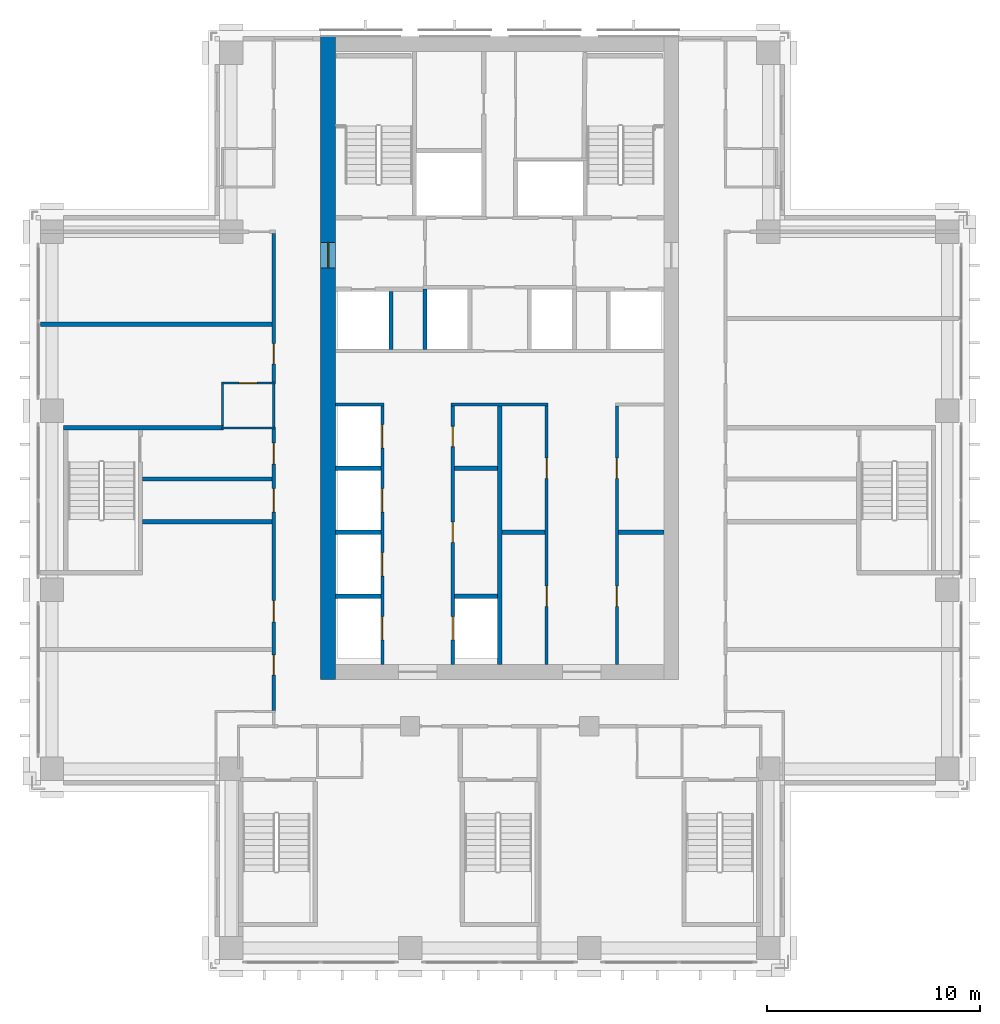
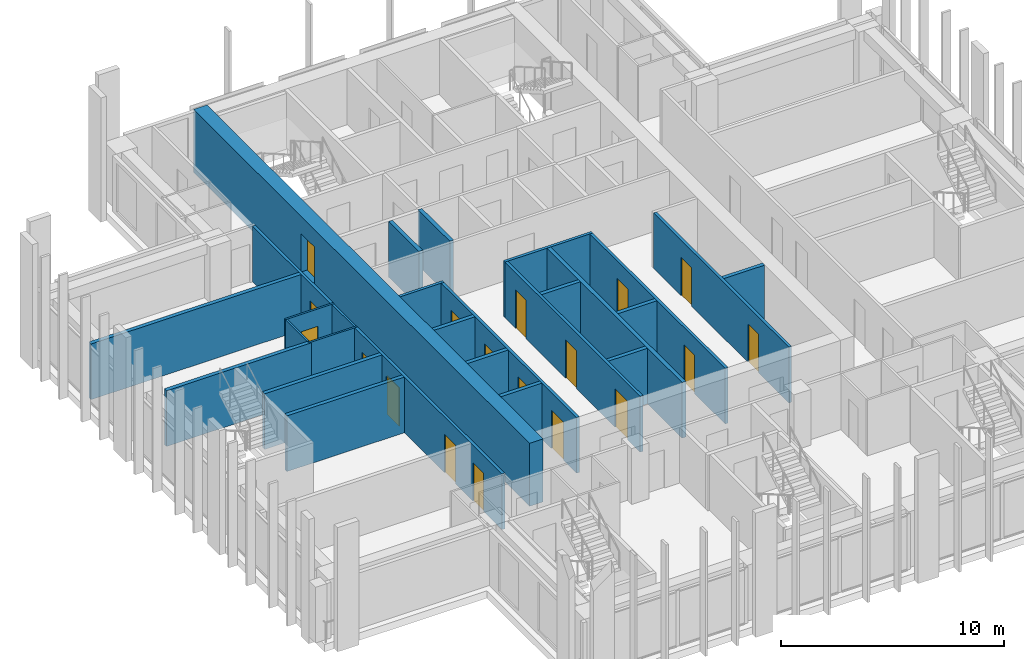
# One storey, part 10 of 16: 27 walls, 18 doors, 18 openings.
"""IFC4 building model written with IfcOpenShell, lengths in metres."""

import ifcopenshell
import ifcopenshell.guid

model = None  # the IFC model being written
_history = None  # IfcOwnerHistory: only IFC2X3 demands one
_inside = {}  # id of a spatial element -> (the spatial element, [elements in it])
_under = {}  # id of a project, library or spatial element -> (it, [spatial elements below it])
_declared = {}  # id of a project -> (the project, [libraries it declares])
_typed = {}  # id of a type object -> (the type object, [elements of that type])
_made_of = {}  # id of a material, layer set ... -> (it, [elements and type objects made of it])


def new_model(schema):
    """Start an empty IFC model of exactly this schema.

    Asked for "IFC4X3", IfcOpenShell would pick the latest addendum, in which some entities
    have other attributes; the version numbers below select the first issue.
    IFC2X3 requires an IfcOwnerHistory on every rooted entity: one is made here for all.
    """
    global model, _history
    if schema == "IFC4X3":
        model = ifcopenshell.file(schema_version=(4, 3, 0, 0))
    else:
        model = ifcopenshell.file(schema=schema)
    _inside.clear()
    _under.clear()
    _declared.clear()
    _typed.clear()
    _made_of.clear()
    _history = None
    if model.schema == "IFC2X3":
        org = make("IfcOrganization", Name="unknown")
        user = make(
            "IfcPersonAndOrganization",
            ThePerson=make("IfcPerson", FamilyName="unknown"),
            TheOrganization=org,
        )
        app = make(
            "IfcApplication",
            ApplicationDeveloper=org,
            Version="unknown",
            ApplicationFullName="unknown",
            ApplicationIdentifier="unknown",
        )
        _history = make(
            "IfcOwnerHistory",
            OwningUser=user,
            OwningApplication=app,
            ChangeAction="ADDED",
            CreationDate=0,
        )
    return model


def make(cls, **values):
    """One entity of the class cls with the attributes given. An attribute that is None is left unset."""
    return model.create_entity(
        cls, **{name: value for name, value in values.items() if value is not None}
    )


def rooted(cls, **values):
    """An entity with a GlobalId (a new one), such as an element, a storey or a relation."""
    return make(cls, GlobalId=ifcopenshell.guid.new(), OwnerHistory=_history, **values)


def si_unit(unit_type, name, prefix=None):
    """IfcSIUnit, for example si_unit("LENGTHUNIT", "METRE", prefix="MILLI")."""
    return make("IfcSIUnit", UnitType=unit_type, Prefix=prefix, Name=name)


def assignment(units):
    """IfcUnitAssignment: the units of a project."""
    return None if units is None else make("IfcUnitAssignment", Units=units)


def point(xyz):
    """IfcCartesianPoint."""
    return None if xyz is None else make("IfcCartesianPoint", Coordinates=xyz)


def direction(xyz):
    """IfcDirection."""
    return None if xyz is None else make("IfcDirection", DirectionRatios=xyz)


def frame(location, z_axis=None, x_axis=None):
    """IfcAxis2Placement3D, a coordinate frame: its origin and axes. An axis left out is left unset."""
    return make(
        "IfcAxis2Placement3D",
        Location=point(location),
        Axis=direction(z_axis),
        RefDirection=direction(x_axis),
    )


def frame_2d(location, x_axis=None):
    """IfcAxis2Placement2D, a coordinate frame in the plane: its origin and x axis."""
    return make(
        "IfcAxis2Placement2D", Location=point(location), RefDirection=direction(x_axis)
    )


def origin():
    """The frame at (0, 0, 0) with its axes left unset."""
    return frame((0.0, 0.0, 0.0))


def place(relative_to, where):
    """IfcLocalPlacement: puts the frame where relative to a parent placement (None: the world)."""
    return make(
        "IfcLocalPlacement", PlacementRelTo=relative_to, RelativePlacement=where
    )


def context(
    kind, dimensions, precision=None, world=None, true_north=None, identifier=None
):
    """IfcGeometricRepresentationContext, for example the 3D "Model" context."""
    return make(
        "IfcGeometricRepresentationContext",
        ContextIdentifier=identifier,
        ContextType=kind,
        CoordinateSpaceDimension=dimensions,
        Precision=precision,
        WorldCoordinateSystem=world,
        TrueNorth=true_north,
    )


def subcontext(parent, identifier, kind, view, scale=None):
    """IfcGeometricRepresentationSubContext, for example "Body" below "Model"."""
    return make(
        "IfcGeometricRepresentationSubContext",
        ContextIdentifier=identifier,
        ContextType=kind,
        ParentContext=parent,
        TargetScale=scale,
        TargetView=view,
    )


def project(units=None, contexts=None):
    """IfcProject with its units and contexts."""
    return rooted(
        "IfcProject",
        Name="project",
        RepresentationContexts=contexts,
        UnitsInContext=assignment(units),
    )


def spatial(cls, under=None, at=None, **own):
    """A site, building, storey or space (cls), placed at a placement, below another one or the project."""
    s = rooted(cls, ObjectPlacement=at, **own)
    if under is not None:
        _under.setdefault(under.id(), (under, []))[1].append(s)
    return s


def profile(cls, at=None, kind="AREA", **sizes):
    """A parametric profile (cls). Its sizes go by their IFC names, for example OverallWidth=200.0."""
    return make(cls, ProfileType=kind, Position=at, **sizes)


def rectangle(**sizes):
    """IfcRectangleProfileDef."""
    return profile("IfcRectangleProfileDef", **sizes)


def extrude(swept, where, along, depth):
    """IfcExtrudedAreaSolid: the profile swept, set in the frame where, extruded along a direction by depth."""
    return make(
        "IfcExtrudedAreaSolid",
        SweptArea=swept,
        Position=where,
        ExtrudedDirection=direction(along),
        Depth=depth,
    )


def shape(context_of_items, identifier, shape_type, items):
    """IfcShapeRepresentation: the items that make up one representation, for example the "Body"."""
    return make(
        "IfcShapeRepresentation",
        ContextOfItems=context_of_items,
        RepresentationIdentifier=identifier,
        RepresentationType=shape_type,
        Items=items,
    )


def material(Name=None, Category=None):
    """IfcMaterial."""
    return make("IfcMaterial", Name=Name, Category=Category)


def layer(
    of_material, thickness, ventilated=None, Name=None, Category=None, Priority=None
):
    """IfcMaterialLayer: one layer of a wall or slab, of a material (None: an air gap)."""
    return make(
        "IfcMaterialLayer",
        Material=of_material,
        LayerThickness=thickness,
        IsVentilated=ventilated,
        Name=Name,
        Category=Category,
        Priority=Priority,
    )


def layer_set(layers, Name=None):
    """IfcMaterialLayerSet."""
    return make("IfcMaterialLayerSet", MaterialLayers=layers, LayerSetName=Name)


def made_of(thing, what):
    """Note that an element or type object is made of a material, layer set ...; save() writes the relation."""
    if what is not None:
        _made_of.setdefault(what.id(), (what, []))[1].append(thing)
    return thing


def type_object(cls, material=None, **own):
    """A type object (cls), such as IfcWallType, which elements share."""
    return made_of(rooted(cls, **own), material)


def element(
    cls,
    number,
    at=None,
    inside=None,
    cuts=None,
    type_object=None,
    material=None,
    context=None,
    identifier="Body",
    shape_type=None,
    held_by="IfcProductDefinitionShape",
    body=None,
    shapes=None,
    **own,
):
    """One element of the class cls, such as IfcWall. Its Tag is "e" and its number.

    at: its placement. inside: the storey or other place that contains it. cuts: it is an
    opening in that element (IfcRelVoidsElement). A single representation is given by context,
    identifier, shape_type and body (its items); several are given by shapes. held_by: the class
    of the entity that holds the representations. save() writes the other relations.
    """
    e = rooted(cls, Tag="e%d" % number, ObjectPlacement=at, **own)
    if body is not None:
        shapes = [shape(context, identifier, shape_type, body)]
    if shapes is not None:
        e.Representation = make(held_by, Representations=shapes)
    if inside is not None:
        _inside.setdefault(inside.id(), (inside, []))[1].append(e)
    if cuts is not None:
        rooted(
            "IfcRelVoidsElement", RelatingBuildingElement=cuts, RelatedOpeningElement=e
        )
    if type_object is not None:
        _typed.setdefault(type_object.id(), (type_object, []))[1].append(e)
    return made_of(e, material)


def fill(opening, filler):
    """IfcRelFillsElement: the door or window that sits in an opening."""
    return rooted(
        "IfcRelFillsElement",
        RelatingOpeningElement=opening,
        RelatedBuildingElement=filler,
    )


def aggregate(whole, parts):
    """IfcRelAggregates: a whole, such as a stair, and the parts it consists of."""
    return rooted("IfcRelAggregates", RelatingObject=whole, RelatedObjects=parts)


def save(model, path):
    """Write the relations noted so far, then the file.

    IfcRelAggregates (storeys below a building ...), IfcRelContainedInSpatialStructure (elements
    in a storey), IfcRelDefinesByType, IfcRelAssociatesMaterial and IfcRelDeclares: one each for
    every whole, place, type object, material and project.
    """
    for whole, parts in _under.values():
        aggregate(whole, parts)
    for where, things in _inside.values():
        rooted(
            "IfcRelContainedInSpatialStructure",
            RelatedElements=things,
            RelatingStructure=where,
        )
    for kind, things in _typed.values():
        rooted("IfcRelDefinesByType", RelatedObjects=things, RelatingType=kind)
    for what, things in _made_of.values():
        rooted("IfcRelAssociatesMaterial", RelatedObjects=things, RelatingMaterial=what)
    for by, libraries in _declared.values():
        rooted("IfcRelDeclares", RelatingContext=by, RelatedDefinitions=libraries)
    model.write(path)


model = new_model("IFC4")

# Units and contexts
model_context = context("Model", 3, precision=1e-05, world=origin(), true_north=direction((0.0, 1.0)))
body_context = subcontext(model_context, "Body", "Model", "MODEL_VIEW")
ifc_project = project(units=[si_unit("LENGTHUNIT", "METRE"), si_unit("AREAUNIT", "SQUARE_METRE"), si_unit("VOLUMEUNIT", "CUBIC_METRE"), si_unit("PLANEANGLEUNIT", "RADIAN"), si_unit("MASSUNIT", "GRAM", prefix="KILO")], contexts=[model_context])

# Site, building, storey
site_placement = place(None, origin())
site = spatial("IfcSite", under=ifc_project, at=site_placement, CompositionType="ELEMENT")
building_placement = place(site_placement, origin())
building = spatial("IfcBuilding", under=site, at=building_placement, Name="Vermilion Ogive Tower", CompositionType="ELEMENT")
storey_placement = place(building_placement, frame((0.0, 0.0, 164.14990234375)))
storey = spatial("IfcBuildingStorey", under=building, at=storey_placement, Name="L42", CompositionType="ELEMENT", Elevation=164.14990234375)

# Wall
ifc_material_1 = material(Name="Gypsum board partition on steel studs", Category="steel")
ifc_layer_1 = layer(ifc_material_1, 0.10009765625)
ifc_layer_set_1 = layer_set([ifc_layer_1], Name="Partition 100 bath")
wall_type_1 = type_object("IfcWallType", Name="Partition 100 bath", PredefinedType="PARTITIONING", material=ifc_layer_set_1)
wall_1_placement = place(storey_placement, frame((-13.050048828125, 3.39990234375, 0.0), z_axis=(0.0, 0.0, 1.0), x_axis=(1.0, 0.0, 0.0)))
element("IfcWall", 1, at=wall_1_placement, inside=storey, type_object=wall_type_1, Name="L42-W-W025", PredefinedType="PARTITIONING", context=body_context, shape_type="SweptSolid", body=[
    extrude(rectangle(XDim=2.525146484375, YDim=0.10009765625, at=frame_2d((1.2626953125, 0.0))), origin(), (0.0, 0.0, 1.0), 3.050048828125),
])

# Wall, opening, door
wall_2_placement = place(storey_placement, frame((-13.048095703125, 5.5, 0.0), z_axis=(0.0, 0.0, 1.0), x_axis=(1.0, 0.0, 0.0)))
wall_2 = element("IfcWall", 2, at=wall_2_placement, inside=storey, type_object=wall_type_1, Name="L42-W-W027", PredefinedType="PARTITIONING", context=body_context, shape_type="SweptSolid", body=[
    extrude(rectangle(XDim=2.523193359375, YDim=0.10009765625, at=frame_2d((1.26171875, 0.0))), origin(), (0.0, 0.0, 1.0), 3.050048828125),
])
opening_1_placement = place(wall_2_placement, frame((0.822998046875, 0.0, 0.0)))
opening_1 = element("IfcOpeningElement", 3, at=opening_1_placement, cuts=wall_2, Name="Opening D3G5004", PredefinedType="OPENING", context=body_context, shape_type="SweptSolid", body=[
    extrude(rectangle(XDim=0.85009765625, YDim=2.10009765625, at=frame_2d((0.425048828125, 1.050048828125))), frame((0.0, 0.06005859375, 0.0), z_axis=(0.0, -1.0, 0.0), x_axis=(1.0, 0.0, 0.0)), (0.0, 0.0, 1.0), 0.1201171875),
])
ifc_material_2 = material(Name="Timber door leaf", Category="wood")
door_type_1 = type_object("IfcDoorType", Name="Bath door 850 x 2100 FD30", OperationType="SINGLE_SWING_LEFT", PredefinedType="DOOR", material=ifc_material_2)
door_1_placement = place(opening_1_placement, origin())
door_1 = element("IfcDoor", 4, at=door_1_placement, inside=storey, type_object=door_type_1, Name="L42-D-D004", OperationType="SINGLE_SWING_RIGHT", OverallHeight=2.10009765625, OverallWidth=0.85009765625, PredefinedType="DOOR", context=body_context, shape_type="SweptSolid", body=[
    extrude(rectangle(XDim=0.85009765625, YDim=2.10009765625, at=frame_2d((0.425048828125, 1.050048828125))), frame((0.0, 0.02490234375, 0.0), z_axis=(0.0, -1.0, 0.0), x_axis=(1.0, 0.0, 0.0)), (0.0, 0.0, 1.0), 0.050048828125),
])
fill(opening_1, door_1)

# Walls
wall_3_placement = place(storey_placement, frame((-13.0, 3.5, 0.0), z_axis=(0.0, 0.0, 1.0), x_axis=(0.0, 1.0, 0.0)))
element("IfcWall", 5, at=wall_3_placement, inside=storey, type_object=wall_type_1, Name="L42-W-W041", PredefinedType="PARTITIONING", context=body_context, shape_type="SweptSolid", body=[
    extrude(rectangle(XDim=1.947998046875, YDim=0.10009765625, at=frame_2d((0.97412109375, 0.0))), origin(), (0.0, 0.0, 1.0), 3.050048828125),
])
wall_4_placement = place(storey_placement, frame((-10.60009765625, 3.449951171875, 0.0), z_axis=(0.0, 0.0, 1.0), x_axis=(0.0, 1.0, 0.0)))
element("IfcWall", 6, at=wall_4_placement, inside=storey, type_object=wall_type_1, Name="L42-W-W046", PredefinedType="PARTITIONING", context=body_context, shape_type="SweptSolid", body=[
    extrude(rectangle(XDim=2.0, YDim=0.10009765625, at=frame_2d((1.0, 0.0))), origin(), (0.0, 0.0, 1.0), 3.050048828125),
])

# Wall, openings, doors
ifc_material_3 = material(Name="Gypsum board partition on steel studs", Category="steel")
ifc_layer_2 = layer(ifc_material_3, 0.14990234375)
ifc_layer_set_2 = layer_set([ifc_layer_2], Name="Partition 150 corridor")
wall_type_2 = type_object("IfcWallType", Name="Partition 150 corridor", PredefinedType="PARTITIONING", material=ifc_layer_set_2)
wall_5_placement = place(storey_placement, frame((-10.60009765625, -9.85009765625, 0.0), z_axis=(0.0, 0.0, 1.0), x_axis=(0.0, 1.0, 0.0)))
wall_5 = element("IfcWall", 7, at=wall_5_placement, inside=storey, type_object=wall_type_2, Name="L42-W-W045", PredefinedType="PARTITIONING", context=body_context, shape_type="SweptSolid", body=[
    extrude(rectangle(XDim=13.2001953125, YDim=0.14990234375, at=frame_2d((6.60009765625, 0.0))), origin(), (0.0, 0.0, 1.0), 3.050048828125),
])
opening_2_placement = place(wall_5_placement, frame((1.650146484375, 0.0, 0.0)))
opening_2 = element("IfcOpeningElement", 8, at=opening_2_placement, cuts=wall_5, Name="Opening D3G5001", PredefinedType="OPENING", context=body_context, shape_type="SweptSolid", body=[
    extrude(rectangle(XDim=0.949951171875, YDim=2.10009765625, at=frame_2d((0.47509765625, 1.050048828125))), frame((0.0, 0.0849609375, 0.0), z_axis=(0.0, -1.0, 0.0), x_axis=(1.0, 0.0, 0.0)), (0.0, 0.0, 1.0), 0.169921875),
])
opening_3_placement = place(wall_5_placement, frame((9.300048828125, 0.0, 0.0)))
opening_3 = element("IfcOpeningElement", 9, at=opening_3_placement, cuts=wall_5, Name="Opening D3G5026", PredefinedType="OPENING", context=body_context, shape_type="SweptSolid", body=[
    extrude(rectangle(XDim=1.10009765625, YDim=2.10009765625, at=frame_2d((0.550048828125, 1.050048828125))), frame((0.0, 0.0849609375, 0.0), z_axis=(0.0, -1.0, 0.0), x_axis=(1.0, 0.0, 0.0)), (0.0, 0.0, 1.0), 0.169921875),
])
opening_4_placement = place(wall_5_placement, frame((4.150146484375, 0.0, 0.0)))
opening_4 = element("IfcOpeningElement", 10, at=opening_4_placement, cuts=wall_5, Name="Opening D3G5028", PredefinedType="OPENING", context=body_context, shape_type="SweptSolid", body=[
    extrude(rectangle(XDim=1.0, YDim=2.10009765625, at=frame_2d((0.5, 1.050048828125))), frame((0.0, 0.0849609375, 0.0), z_axis=(0.0, -1.0, 0.0), x_axis=(1.0, 0.0, 0.0)), (0.0, 0.0, 1.0), 0.169921875),
])
opening_5_placement = place(wall_5_placement, frame((11.550048828125, 0.0, 0.0)))
opening_5 = element("IfcOpeningElement", 11, at=opening_5_placement, cuts=wall_5, Name="Opening D3G5030", PredefinedType="OPENING", context=body_context, shape_type="SweptSolid", body=[
    extrude(rectangle(XDim=1.0, YDim=2.10009765625, at=frame_2d((0.5, 1.050048828125))), frame((0.0, 0.0849609375, 0.0), z_axis=(0.0, -1.0, 0.0), x_axis=(1.0, 0.0, 0.0)), (0.0, 0.0, 1.0), 0.169921875),
])
ifc_material_4 = material(Name="Timber door leaf", Category="wood")
door_type_2 = type_object("IfcDoorType", Name="Stair door 1100 x 2100 FD60S", OperationType="SINGLE_SWING_LEFT", PredefinedType="DOOR", material=ifc_material_4)
door_2_placement = place(opening_3_placement, origin())
door_2 = element("IfcDoor", 12, at=door_2_placement, inside=storey, type_object=door_type_2, Name="L42-D-D026", OperationType="SINGLE_SWING_RIGHT", OverallHeight=2.10009765625, OverallWidth=1.10009765625, PredefinedType="DOOR", context=body_context, shape_type="SweptSolid", body=[
    extrude(rectangle(XDim=1.10009765625, YDim=2.10009765625, at=frame_2d((0.550048828125, 1.050048828125))), frame((0.0, 0.02490234375, 0.0), z_axis=(0.0, -1.0, 0.0), x_axis=(1.0, 0.0, 0.0)), (0.0, 0.0, 1.0), 0.050048828125),
])
fill(opening_3, door_2)
ifc_material_5 = material(Name="Timber door leaf", Category="wood")
door_type_3 = type_object("IfcDoorType", Name="Unit door 1000 x 2100 FD30S", OperationType="SINGLE_SWING_LEFT", PredefinedType="DOOR", material=ifc_material_5)
door_3_placement = place(opening_4_placement, origin())
door_3 = element("IfcDoor", 13, at=door_3_placement, inside=storey, type_object=door_type_3, Name="L42-D-D028", OperationType="SINGLE_SWING_LEFT", OverallHeight=2.10009765625, OverallWidth=1.0, PredefinedType="DOOR", context=body_context, shape_type="SweptSolid", body=[
    extrude(rectangle(XDim=1.0, YDim=2.10009765625, at=frame_2d((0.5, 1.050048828125))), frame((0.0, 0.02490234375, 0.0), z_axis=(0.0, -1.0, 0.0), x_axis=(1.0, 0.0, 0.0)), (0.0, 0.0, 1.0), 0.050048828125),
])
fill(opening_4, door_3)
door_4_placement = place(opening_5_placement, origin())
door_4 = element("IfcDoor", 14, at=door_4_placement, inside=storey, type_object=door_type_3, Name="L42-D-D030", OperationType="SINGLE_SWING_RIGHT", OverallHeight=2.10009765625, OverallWidth=1.0, PredefinedType="DOOR", context=body_context, shape_type="SweptSolid", body=[
    extrude(rectangle(XDim=1.0, YDim=2.10009765625, at=frame_2d((0.5, 1.050048828125))), frame((0.0, 0.02490234375, 0.0), z_axis=(0.0, -1.0, 0.0), x_axis=(1.0, 0.0, 0.0)), (0.0, 0.0, 1.0), 0.050048828125),
])
fill(opening_5, door_4)
ifc_material_6 = material(Name="Timber door leaf", Category="wood")
door_type_4 = type_object("IfcDoorType", Name="Unit door 950 x 2100 FD30S", OperationType="SINGLE_SWING_LEFT", PredefinedType="DOOR", material=ifc_material_6)
door_5_placement = place(opening_2_placement, origin())
door_5 = element("IfcDoor", 15, at=door_5_placement, inside=storey, type_object=door_type_4, Name="L42-D-D001", OperationType="SINGLE_SWING_RIGHT", OverallHeight=2.10009765625, OverallWidth=0.949951171875, PredefinedType="DOOR", context=body_context, shape_type="SweptSolid", body=[
    extrude(rectangle(XDim=0.949951171875, YDim=2.10009765625, at=frame_2d((0.47509765625, 1.050048828125))), frame((0.0, 0.02490234375, 0.0), z_axis=(0.0, -1.0, 0.0), x_axis=(1.0, 0.0, 0.0)), (0.0, 0.0, 1.0), 0.050048828125),
])
fill(opening_2, door_5)

# Wall, opening, door
wall_6_placement = place(storey_placement, frame((-10.60009765625, 5.550048828125, 0.0), z_axis=(0.0, 0.0, 1.0), x_axis=(0.0, 1.0, 0.0)))
wall_6 = element("IfcWall", 16, at=wall_6_placement, inside=storey, type_object=wall_type_2, Name="L42-W-W047", PredefinedType="PARTITIONING", context=body_context, shape_type="SweptSolid", body=[
    extrude(rectangle(XDim=6.974853515625, YDim=0.14990234375, at=frame_2d((3.4873046875, 0.0))), origin(), (0.0, 0.0, 1.0), 3.050048828125),
])
opening_6_placement = place(wall_6_placement, frame((0.85498046875, 0.0, 0.0)))
opening_6 = element("IfcOpeningElement", 17, at=opening_6_placement, cuts=wall_6, Name="Opening D3G5003", PredefinedType="OPENING", context=body_context, shape_type="SweptSolid", body=[
    extrude(rectangle(XDim=0.949951171875, YDim=2.10009765625, at=frame_2d((0.47509765625, 1.050048828125))), frame((0.0, 0.0849609375, 0.0), z_axis=(0.0, -1.0, 0.0), x_axis=(1.0, 0.0, 0.0)), (0.0, 0.0, 1.0), 0.169921875),
])
door_6_placement = place(opening_6_placement, origin())
door_6 = element("IfcDoor", 18, at=door_6_placement, inside=storey, type_object=door_type_4, Name="L42-D-D003", OperationType="SINGLE_SWING_LEFT", OverallHeight=2.10009765625, OverallWidth=0.949951171875, PredefinedType="DOOR", context=body_context, shape_type="SweptSolid", body=[
    extrude(rectangle(XDim=0.949951171875, YDim=2.10009765625, at=frame_2d((0.47509765625, 1.050048828125))), frame((0.0, 0.02490234375, 0.0), z_axis=(0.0, -1.0, 0.0), x_axis=(1.0, 0.0, 0.0)), (0.0, 0.0, 1.0), 0.050048828125),
])
fill(opening_6, door_6)

# Walls
wall_7_placement = place(storey_placement, frame((-7.698974609375, 4.5, 0.0), z_axis=(0.0, 0.0, 1.0), x_axis=(1.0, 0.0, 0.0)))
element("IfcWall", 19, at=wall_7_placement, inside=storey, type_object=wall_type_2, Name="L42-CK-W-W008", PredefinedType="PARTITIONING", context=body_context, shape_type="SweptSolid", body=[
    extrude(rectangle(XDim=2.27392578125, YDim=0.14990234375, at=frame_2d((1.136962890625, 0.0))), origin(), (0.0, 0.0, 1.0), 3.050048828125),
])
wall_8_placement = place(storey_placement, frame((-2.27490234375, 4.5, 0.0), z_axis=(0.0, 0.0, 1.0), x_axis=(1.0, 0.0, 0.0)))
element("IfcWall", 20, at=wall_8_placement, inside=storey, type_object=wall_type_2, Name="L42-CK-W-W009", PredefinedType="PARTITIONING", context=body_context, shape_type="SweptSolid", body=[
    extrude(rectangle(XDim=4.5498046875, YDim=0.14990234375, at=frame_2d((2.27490234375, 0.0))), origin(), (0.0, 0.0, 1.0), 3.050048828125),
])

# Wall, openings, doors
wall_9_placement = place(storey_placement, frame((-5.5, -7.698974609375, 0.0), z_axis=(0.0, 0.0, 1.0), x_axis=(0.0, 1.0, 0.0)))
wall_9 = element("IfcWall", 21, at=wall_9_placement, inside=storey, type_object=wall_type_2, Name="L42-CK-W-W020", PredefinedType="PARTITIONING", context=body_context, shape_type="SweptSolid", body=[
    extrude(rectangle(XDim=12.1240234375, YDim=0.14990234375, at=frame_2d((6.06201171875, 0.0))), origin(), (0.0, 0.0, 1.0), 3.050048828125),
])
opening_7_placement = place(wall_9_placement, frame((1.14892578125, 0.0, 0.0)))
opening_7 = element("IfcOpeningElement", 22, at=opening_7_placement, cuts=wall_9, Name="Opening DAA386", PredefinedType="OPENING", context=body_context, shape_type="SweptSolid", body=[
    extrude(rectangle(XDim=1.10009765625, YDim=2.10009765625, at=frame_2d((0.550048828125, 1.050048828125))), frame((0.0, 0.0849609375, 0.0), z_axis=(0.0, -1.0, 0.0), x_axis=(1.0, 0.0, 0.0)), (0.0, 0.0, 1.0), 0.169921875),
])
opening_8_placement = place(wall_9_placement, frame((4.14892578125, 0.0, 0.0)))
opening_8 = element("IfcOpeningElement", 23, at=opening_8_placement, cuts=wall_9, Name="Opening DAA387", PredefinedType="OPENING", context=body_context, shape_type="SweptSolid", body=[
    extrude(rectangle(XDim=1.10009765625, YDim=2.10009765625, at=frame_2d((0.550048828125, 1.050048828125))), frame((0.0, 0.0849609375, 0.0), z_axis=(0.0, -1.0, 0.0), x_axis=(1.0, 0.0, 0.0)), (0.0, 0.0, 1.0), 0.169921875),
])
opening_9_placement = place(wall_9_placement, frame((7.14892578125, 0.0, 0.0)))
opening_9 = element("IfcOpeningElement", 24, at=opening_9_placement, cuts=wall_9, Name="Opening DAA388", PredefinedType="OPENING", context=body_context, shape_type="SweptSolid", body=[
    extrude(rectangle(XDim=1.10009765625, YDim=2.10009765625, at=frame_2d((0.550048828125, 1.050048828125))), frame((0.0, 0.0849609375, 0.0), z_axis=(0.0, -1.0, 0.0), x_axis=(1.0, 0.0, 0.0)), (0.0, 0.0, 1.0), 0.169921875),
])
opening_10_placement = place(wall_9_placement, frame((10.14892578125, 0.0, 0.0)))
opening_10 = element("IfcOpeningElement", 25, at=opening_10_placement, cuts=wall_9, Name="Opening DAA389", PredefinedType="OPENING", context=body_context, shape_type="SweptSolid", body=[
    extrude(rectangle(XDim=1.10009765625, YDim=2.10009765625, at=frame_2d((0.550048828125, 1.050048828125))), frame((0.0, 0.0849609375, 0.0), z_axis=(0.0, -1.0, 0.0), x_axis=(1.0, 0.0, 0.0)), (0.0, 0.0, 1.0), 0.169921875),
])
ifc_material_7 = material(Name="Stainless steel", Category="steel")
door_type_5 = type_object("IfcDoorType", Name="Lift landing door 1100 x 2100", OperationType="SLIDING_TO_LEFT", PredefinedType="DOOR", material=ifc_material_7)
door_7_placement = place(opening_7_placement, origin())
door_7 = element("IfcDoor", 26, at=door_7_placement, inside=storey, type_object=door_type_5, Name="L42-CK-D-D001", OperationType="SLIDING_TO_LEFT", OverallHeight=2.10009765625, OverallWidth=1.10009765625, PredefinedType="DOOR", context=body_context, shape_type="SweptSolid", body=[
    extrude(rectangle(XDim=1.10009765625, YDim=2.10009765625, at=frame_2d((0.550048828125, 1.050048828125))), frame((0.0, 0.02490234375, 0.0), z_axis=(0.0, -1.0, 0.0), x_axis=(1.0, 0.0, 0.0)), (0.0, 0.0, 1.0), 0.050048828125),
])
fill(opening_7, door_7)
door_8_placement = place(opening_8_placement, origin())
door_8 = element("IfcDoor", 27, at=door_8_placement, inside=storey, type_object=door_type_5, Name="L42-CK-D-D002", OperationType="SLIDING_TO_LEFT", OverallHeight=2.10009765625, OverallWidth=1.10009765625, PredefinedType="DOOR", context=body_context, shape_type="SweptSolid", body=[
    extrude(rectangle(XDim=1.10009765625, YDim=2.10009765625, at=frame_2d((0.550048828125, 1.050048828125))), frame((0.0, 0.02490234375, 0.0), z_axis=(0.0, -1.0, 0.0), x_axis=(1.0, 0.0, 0.0)), (0.0, 0.0, 1.0), 0.050048828125),
])
fill(opening_8, door_8)
door_9_placement = place(opening_9_placement, origin())
door_9 = element("IfcDoor", 28, at=door_9_placement, inside=storey, type_object=door_type_5, Name="L42-CK-D-D003", OperationType="SLIDING_TO_LEFT", OverallHeight=2.10009765625, OverallWidth=1.10009765625, PredefinedType="DOOR", context=body_context, shape_type="SweptSolid", body=[
    extrude(rectangle(XDim=1.10009765625, YDim=2.10009765625, at=frame_2d((0.550048828125, 1.050048828125))), frame((0.0, 0.02490234375, 0.0), z_axis=(0.0, -1.0, 0.0), x_axis=(1.0, 0.0, 0.0)), (0.0, 0.0, 1.0), 0.050048828125),
])
fill(opening_9, door_9)
door_10_placement = place(opening_10_placement, origin())
door_10 = element("IfcDoor", 29, at=door_10_placement, inside=storey, type_object=door_type_5, Name="L42-CK-D-D004", OperationType="SLIDING_TO_LEFT", OverallHeight=2.10009765625, OverallWidth=1.10009765625, PredefinedType="DOOR", context=body_context, shape_type="SweptSolid", body=[
    extrude(rectangle(XDim=1.10009765625, YDim=2.10009765625, at=frame_2d((0.550048828125, 1.050048828125))), frame((0.0, 0.02490234375, 0.0), z_axis=(0.0, -1.0, 0.0), x_axis=(1.0, 0.0, 0.0)), (0.0, 0.0, 1.0), 0.050048828125),
])
fill(opening_10, door_10)

wall_10_placement = place(storey_placement, frame((-2.199951171875, -7.698974609375, 0.0), z_axis=(0.0, 0.0, 1.0), x_axis=(0.0, 1.0, 0.0)))
wall_10 = element("IfcWall", 30, at=wall_10_placement, inside=storey, type_object=wall_type_2, Name="L42-CK-W-W025", PredefinedType="PARTITIONING", context=body_context, shape_type="SweptSolid", body=[
    extrude(rectangle(XDim=12.1240234375, YDim=0.14990234375, at=frame_2d((6.06201171875, 0.0))), origin(), (0.0, 0.0, 1.0), 3.050048828125),
])
opening_11_placement = place(wall_10_placement, frame((1.14892578125, 0.0, 0.0)))
opening_11 = element("IfcOpeningElement", 31, at=opening_11_placement, cuts=wall_10, Name="Opening DAA390", PredefinedType="OPENING", context=body_context, shape_type="SweptSolid", body=[
    extrude(rectangle(XDim=1.10009765625, YDim=2.10009765625, at=frame_2d((0.550048828125, 1.050048828125))), frame((0.0, 0.0849609375, 0.0), z_axis=(0.0, -1.0, 0.0), x_axis=(1.0, 0.0, 0.0)), (0.0, 0.0, 1.0), 0.169921875),
])
opening_12_placement = place(wall_10_placement, frame((5.723876953125, 0.0, 0.0)))
opening_12 = element("IfcOpeningElement", 32, at=opening_12_placement, cuts=wall_10, Name="Opening DAA376", PredefinedType="OPENING", context=body_context, shape_type="SweptSolid", body=[
    extrude(rectangle(XDim=0.949951171875, YDim=2.10009765625, at=frame_2d((0.47509765625, 1.050048828125))), frame((0.0, 0.0849609375, 0.0), z_axis=(0.0, -1.0, 0.0), x_axis=(1.0, 0.0, 0.0)), (0.0, 0.0, 1.0), 0.169921875),
])
opening_13_placement = place(wall_10_placement, frame((10.223876953125, 0.0, 0.0)))
opening_13 = element("IfcOpeningElement", 33, at=opening_13_placement, cuts=wall_10, Name="Opening DAA377", PredefinedType="OPENING", context=body_context, shape_type="SweptSolid", body=[
    extrude(rectangle(XDim=0.949951171875, YDim=2.10009765625, at=frame_2d((0.47509765625, 1.050048828125))), frame((0.0, 0.0849609375, 0.0), z_axis=(0.0, -1.0, 0.0), x_axis=(1.0, 0.0, 0.0)), (0.0, 0.0, 1.0), 0.169921875),
])
door_11_placement = place(opening_11_placement, origin())
door_11 = element("IfcDoor", 34, at=door_11_placement, inside=storey, type_object=door_type_5, Name="L42-CK-D-D005", OperationType="SLIDING_TO_LEFT", OverallHeight=2.10009765625, OverallWidth=1.10009765625, PredefinedType="DOOR", context=body_context, shape_type="SweptSolid", body=[
    extrude(rectangle(XDim=1.10009765625, YDim=2.10009765625, at=frame_2d((0.550048828125, 1.050048828125))), frame((0.0, 0.02490234375, 0.0), z_axis=(0.0, -1.0, 0.0), x_axis=(1.0, 0.0, 0.0)), (0.0, 0.0, 1.0), 0.050048828125),
])
fill(opening_11, door_11)
ifc_material_8 = material(Name="Timber door leaf", Category="wood")
door_type_6 = type_object("IfcDoorType", Name="Service door 950 x 2100 FD60", OperationType="SINGLE_SWING_LEFT", PredefinedType="DOOR", material=ifc_material_8)
door_12_placement = place(opening_12_placement, origin())
door_12 = element("IfcDoor", 35, at=door_12_placement, inside=storey, type_object=door_type_6, Name="L42-CK-D-D006", OperationType="SINGLE_SWING_LEFT", OverallHeight=2.10009765625, OverallWidth=0.949951171875, PredefinedType="DOOR", context=body_context, shape_type="SweptSolid", body=[
    extrude(rectangle(XDim=0.949951171875, YDim=2.10009765625, at=frame_2d((0.47509765625, 1.050048828125))), frame((0.0, 0.02490234375, 0.0), z_axis=(0.0, -1.0, 0.0), x_axis=(1.0, 0.0, 0.0)), (0.0, 0.0, 1.0), 0.050048828125),
])
fill(opening_12, door_12)
door_13_placement = place(opening_13_placement, origin())
door_13 = element("IfcDoor", 36, at=door_13_placement, inside=storey, type_object=door_type_6, Name="L42-CK-D-D007", OperationType="SINGLE_SWING_RIGHT", OverallHeight=2.10009765625, OverallWidth=0.949951171875, PredefinedType="DOOR", context=body_context, shape_type="SweptSolid", body=[
    extrude(rectangle(XDim=0.949951171875, YDim=2.10009765625, at=frame_2d((0.47509765625, 1.050048828125))), frame((0.0, 0.02490234375, 0.0), z_axis=(0.0, -1.0, 0.0), x_axis=(1.0, 0.0, 0.0)), (0.0, 0.0, 1.0), 0.050048828125),
])
fill(opening_13, door_13)

wall_11_placement = place(storey_placement, frame((2.199951171875, -7.698974609375, 0.0), z_axis=(0.0, 0.0, 1.0), x_axis=(0.0, 1.0, 0.0)))
wall_11 = element("IfcWall", 37, at=wall_11_placement, inside=storey, type_object=wall_type_2, Name="L42-CK-W-W032", PredefinedType="PARTITIONING", context=body_context, shape_type="SweptSolid", body=[
    extrude(rectangle(XDim=12.1240234375, YDim=0.14990234375, at=frame_2d((6.06201171875, 0.0))), origin(), (0.0, 0.0, 1.0), 3.050048828125),
])
opening_14_placement = place(wall_11_placement, frame((2.723876953125, 0.0, 0.0)))
opening_14 = element("IfcOpeningElement", 38, at=opening_14_placement, cuts=wall_11, Name="Opening DAA378", PredefinedType="OPENING", context=body_context, shape_type="SweptSolid", body=[
    extrude(rectangle(XDim=0.949951171875, YDim=2.10009765625, at=frame_2d((0.47509765625, 1.050048828125))), frame((0.0, 0.0849609375, 0.0), z_axis=(0.0, -1.0, 0.0), x_axis=(1.0, 0.0, 0.0)), (0.0, 0.0, 1.0), 0.169921875),
])
opening_15_placement = place(wall_11_placement, frame((8.723876953125, 0.0, 0.0)))
opening_15 = element("IfcOpeningElement", 39, at=opening_15_placement, cuts=wall_11, Name="Opening DAA379", PredefinedType="OPENING", context=body_context, shape_type="SweptSolid", body=[
    extrude(rectangle(XDim=0.949951171875, YDim=2.10009765625, at=frame_2d((0.47509765625, 1.050048828125))), frame((0.0, 0.0849609375, 0.0), z_axis=(0.0, -1.0, 0.0), x_axis=(1.0, 0.0, 0.0)), (0.0, 0.0, 1.0), 0.169921875),
])
door_14_placement = place(opening_14_placement, origin())
door_14 = element("IfcDoor", 40, at=door_14_placement, inside=storey, type_object=door_type_6, Name="L42-CK-D-D008", OperationType="SINGLE_SWING_RIGHT", OverallHeight=2.10009765625, OverallWidth=0.949951171875, PredefinedType="DOOR", context=body_context, shape_type="SweptSolid", body=[
    extrude(rectangle(XDim=0.949951171875, YDim=2.10009765625, at=frame_2d((0.47509765625, 1.050048828125))), frame((0.0, 0.02490234375, 0.0), z_axis=(0.0, -1.0, 0.0), x_axis=(1.0, 0.0, 0.0)), (0.0, 0.0, 1.0), 0.050048828125),
])
fill(opening_14, door_14)
door_15_placement = place(opening_15_placement, origin())
door_15 = element("IfcDoor", 41, at=door_15_placement, inside=storey, type_object=door_type_6, Name="L42-CK-D-D009", OperationType="SINGLE_SWING_RIGHT", OverallHeight=2.10009765625, OverallWidth=0.949951171875, PredefinedType="DOOR", context=body_context, shape_type="SweptSolid", body=[
    extrude(rectangle(XDim=0.949951171875, YDim=2.10009765625, at=frame_2d((0.47509765625, 1.050048828125))), frame((0.0, 0.02490234375, 0.0), z_axis=(0.0, -1.0, 0.0), x_axis=(1.0, 0.0, 0.0)), (0.0, 0.0, 1.0), 0.050048828125),
])
fill(opening_15, door_15)

wall_12_placement = place(storey_placement, frame((5.5, -7.698974609375, 0.0), z_axis=(0.0, 0.0, 1.0), x_axis=(0.0, 1.0, 0.0)))
wall_12 = element("IfcWall", 42, at=wall_12_placement, inside=storey, type_object=wall_type_2, Name="L42-CK-W-W038", PredefinedType="PARTITIONING", context=body_context, shape_type="SweptSolid", body=[
    extrude(rectangle(XDim=12.1240234375, YDim=0.14990234375, at=frame_2d((6.06201171875, 0.0))), origin(), (0.0, 0.0, 1.0), 3.050048828125),
])
opening_16_placement = place(wall_12_placement, frame((2.723876953125, 0.0, 0.0)))
opening_16 = element("IfcOpeningElement", 43, at=opening_16_placement, cuts=wall_12, Name="Opening DAA380", PredefinedType="OPENING", context=body_context, shape_type="SweptSolid", body=[
    extrude(rectangle(XDim=0.949951171875, YDim=2.10009765625, at=frame_2d((0.47509765625, 1.050048828125))), frame((0.0, 0.0849609375, 0.0), z_axis=(0.0, -1.0, 0.0), x_axis=(1.0, 0.0, 0.0)), (0.0, 0.0, 1.0), 0.169921875),
])
opening_17_placement = place(wall_12_placement, frame((8.723876953125, 0.0, 0.0)))
opening_17 = element("IfcOpeningElement", 44, at=opening_17_placement, cuts=wall_12, Name="Opening DAA381", PredefinedType="OPENING", context=body_context, shape_type="SweptSolid", body=[
    extrude(rectangle(XDim=0.949951171875, YDim=2.10009765625, at=frame_2d((0.47509765625, 1.050048828125))), frame((0.0, 0.0849609375, 0.0), z_axis=(0.0, -1.0, 0.0), x_axis=(1.0, 0.0, 0.0)), (0.0, 0.0, 1.0), 0.169921875),
])
door_16_placement = place(opening_16_placement, origin())
door_16 = element("IfcDoor", 45, at=door_16_placement, inside=storey, type_object=door_type_6, Name="L42-CK-D-D010", OperationType="SINGLE_SWING_LEFT", OverallHeight=2.10009765625, OverallWidth=0.949951171875, PredefinedType="DOOR", context=body_context, shape_type="SweptSolid", body=[
    extrude(rectangle(XDim=0.949951171875, YDim=2.10009765625, at=frame_2d((0.47509765625, 1.050048828125))), frame((0.0, 0.02490234375, 0.0), z_axis=(0.0, -1.0, 0.0), x_axis=(1.0, 0.0, 0.0)), (0.0, 0.0, 1.0), 0.050048828125),
])
fill(opening_16, door_16)
door_17_placement = place(opening_17_placement, origin())
door_17 = element("IfcDoor", 46, at=door_17_placement, inside=storey, type_object=door_type_6, Name="L42-CK-D-D011", OperationType="SINGLE_SWING_LEFT", OverallHeight=2.10009765625, OverallWidth=0.949951171875, PredefinedType="DOOR", context=body_context, shape_type="SweptSolid", body=[
    extrude(rectangle(XDim=0.949951171875, YDim=2.10009765625, at=frame_2d((0.47509765625, 1.050048828125))), frame((0.0, 0.02490234375, 0.0), z_axis=(0.0, -1.0, 0.0), x_axis=(1.0, 0.0, 0.0)), (0.0, 0.0, 1.0), 0.050048828125),
])
fill(opening_17, door_17)

# Walls
ifc_material_9 = material(Name="Gypsum board partition on steel studs", Category="steel")
ifc_layer_3 = layer(ifc_material_9, 0.199951171875)
ifc_layer_set_3 = layer_set([ifc_layer_3], Name="Partition 200 party")
wall_type_3 = type_object("IfcWallType", Name="Partition 200 party", PredefinedType="PARTITIONING", material=ifc_layer_set_3)
wall_13_placement = place(storey_placement, frame((-16.748046875, -1.0, 0.0), z_axis=(0.0, 0.0, 1.0), x_axis=(1.0, 0.0, 0.0)))
element("IfcWall", 47, at=wall_13_placement, inside=storey, type_object=wall_type_3, Name="L42-W-W020", PredefinedType="PARTITIONING", context=body_context, shape_type="SweptSolid", body=[
    extrude(rectangle(XDim=6.071044921875, YDim=0.199951171875, at=frame_2d((3.03564453125, 0.0))), origin(), (0.0, 0.0, 1.0), 3.050048828125),
])
wall_14_placement = place(storey_placement, frame((-16.75, 1.0, 0.0), z_axis=(0.0, 0.0, 1.0), x_axis=(1.0, 0.0, 0.0)))
element("IfcWall", 48, at=wall_14_placement, inside=storey, type_object=wall_type_3, Name="L42-W-W022", PredefinedType="PARTITIONING", context=body_context, shape_type="SweptSolid", body=[
    extrude(rectangle(XDim=6.074951171875, YDim=0.199951171875, at=frame_2d((3.03759765625, 0.0))), origin(), (0.0, 0.0, 1.0), 3.050048828125),
])
wall_15_placement = place(storey_placement, frame((-21.550048828125, 8.260009765625, 0.0), z_axis=(0.0, 0.0, 1.0), x_axis=(1.0, 0.0, 0.0)))
element("IfcWall", 49, at=wall_15_placement, inside=storey, type_object=wall_type_3, Name="L42-W-W028", PredefinedType="PARTITIONING", context=body_context, shape_type="SweptSolid", body=[
    extrude(rectangle(XDim=10.875, YDim=0.199951171875, at=frame_2d((5.4375, 0.0))), origin(), (0.0, 0.0, 1.0), 3.050048828125),
])
wall_16_placement = place(storey_placement, frame((-7.698974609375, -4.5, 0.0), z_axis=(0.0, 0.0, 1.0), x_axis=(1.0, 0.0, 0.0)))
element("IfcWall", 50, at=wall_16_placement, inside=storey, type_object=wall_type_3, Name="L42-CK-W-W001", PredefinedType="PARTITIONING", context=body_context, shape_type="SweptSolid", body=[
    extrude(rectangle(XDim=2.1240234375, YDim=0.199951171875, at=frame_2d((1.06201171875, 0.0))), origin(), (0.0, 0.0, 1.0), 3.050048828125),
])
wall_17_placement = place(storey_placement, frame((-2.125, -4.5, 0.0), z_axis=(0.0, 0.0, 1.0), x_axis=(1.0, 0.0, 0.0)))
element("IfcWall", 51, at=wall_17_placement, inside=storey, type_object=wall_type_3, Name="L42-CK-W-W002", PredefinedType="PARTITIONING", context=body_context, shape_type="SweptSolid", body=[
    extrude(rectangle(XDim=2.02490234375, YDim=0.199951171875, at=frame_2d((1.012451171875, 0.0))), origin(), (0.0, 0.0, 1.0), 3.050048828125),
])
wall_18_placement = place(storey_placement, frame((-7.698974609375, -1.5, 0.0), z_axis=(0.0, 0.0, 1.0), x_axis=(1.0, 0.0, 0.0)))
element("IfcWall", 52, at=wall_18_placement, inside=storey, type_object=wall_type_3, Name="L42-CK-W-W003", PredefinedType="PARTITIONING", context=body_context, shape_type="SweptSolid", body=[
    extrude(rectangle(XDim=2.1240234375, YDim=0.199951171875, at=frame_2d((1.06201171875, 0.0))), origin(), (0.0, 0.0, 1.0), 3.050048828125),
])
wall_19_placement = place(storey_placement, frame((0.10009765625, -1.5, 0.0), z_axis=(0.0, 0.0, 1.0), x_axis=(1.0, 0.0, 0.0)))
element("IfcWall", 53, at=wall_19_placement, inside=storey, type_object=wall_type_3, Name="L42-CK-W-W004", PredefinedType="PARTITIONING", context=body_context, shape_type="SweptSolid", body=[
    extrude(rectangle(XDim=2.02490234375, YDim=0.199951171875, at=frame_2d((1.012451171875, 0.0))), origin(), (0.0, 0.0, 1.0), 3.050048828125),
])
for number, where, z_axis, x_axis, name in (
    (54, (5.574951171875, -1.5, 0.0), (0.0, 0.0, 1.0), (1.0, 0.0, 0.0), "L42-CK-W-W005"),
    (55, (-7.698974609375, 1.5, 0.0), (0.0, 0.0, 1.0), (1.0, 0.0, 0.0), "L42-CK-W-W006"),
):
    element("IfcWall", number, at=place(storey_placement, frame(where, z_axis=z_axis, x_axis=x_axis)), inside=storey, type_object=wall_type_3, Name=name, PredefinedType="PARTITIONING", context=body_context, shape_type="SweptSolid", body=[
        extrude(rectangle(XDim=2.1240234375, YDim=0.199951171875, at=frame_2d((1.06201171875, 0.0))), origin(), (0.0, 0.0, 1.0), 3.050048828125),
    ])
wall_20_placement = place(storey_placement, frame((-2.125, 1.5, 0.0), z_axis=(0.0, 0.0, 1.0), x_axis=(1.0, 0.0, 0.0)))
element("IfcWall", 56, at=wall_20_placement, inside=storey, type_object=wall_type_3, Name="L42-CK-W-W007", PredefinedType="PARTITIONING", context=body_context, shape_type="SweptSolid", body=[
    extrude(rectangle(XDim=2.02490234375, YDim=0.199951171875, at=frame_2d((1.012451171875, 0.0))), origin(), (0.0, 0.0, 1.0), 3.050048828125),
])
wall_21_placement = place(storey_placement, frame((-5.10009765625, 7.074951171875, 0.0), z_axis=(0.0, 0.0, 1.0), x_axis=(0.0, 1.0, 0.0)))
element("IfcWall", 57, at=wall_21_placement, inside=storey, type_object=wall_type_3, Name="L42-CK-W-W021", PredefinedType="PARTITIONING", context=body_context, shape_type="SweptSolid", body=[
    extrude(rectangle(XDim=2.72509765625, YDim=0.199951171875, at=frame_2d((1.362548828125, 0.0))), origin(), (0.0, 0.0, 1.0), 3.050048828125),
])
wall_22_placement = place(storey_placement, frame((-3.5, 7.074951171875, 0.0), z_axis=(0.0, 0.0, 1.0), x_axis=(0.0, 1.0, 0.0)))
element("IfcWall", 58, at=wall_22_placement, inside=storey, type_object=wall_type_3, Name="L42-CK-W-W023", PredefinedType="PARTITIONING", context=body_context, shape_type="SweptSolid", body=[
    extrude(rectangle(XDim=2.85009765625, YDim=0.199951171875, at=frame_2d((1.425048828125, 0.0))), origin(), (0.0, 0.0, 1.0), 3.050048828125),
])
wall_23_placement = place(storey_placement, frame((0.0, -7.698974609375, 0.0), z_axis=(0.0, 0.0, 1.0), x_axis=(0.0, 1.0, 0.0)))
element("IfcWall", 59, at=wall_23_placement, inside=storey, type_object=wall_type_3, Name="L42-CK-W-W028", PredefinedType="PARTITIONING", context=body_context, shape_type="SweptSolid", body=[
    extrude(rectangle(XDim=12.1240234375, YDim=0.199951171875, at=frame_2d((6.06201171875, 0.0))), origin(), (0.0, 0.0, 1.0), 3.050048828125),
])

# Wall, opening, door
ifc_material_10 = material(Name="Concrete B60", Category="concrete")
ifc_layer_4 = layer(ifc_material_10, 0.199951171875)
ifc_layer_set_4 = layer_set([ifc_layer_4], Name="Stair shaft wall 200 Concrete B60")
wall_type_4 = type_object("IfcWallType", Name="Stair shaft wall 200 Concrete B60", PredefinedType="SOLIDWALL", material=ifc_layer_set_4)
wall_24_placement = place(storey_placement, frame((-8.050048828125, -8.39990234375, -0.39990234375), z_axis=(0.0, 0.0, 1.0), x_axis=(0.0, 1.0, 0.0)))
wall_24 = element("IfcWall", 60, at=wall_24_placement, inside=storey, type_object=wall_type_4, Name="L42-CORE-W", PredefinedType="SOLIDWALL", context=body_context, shape_type="SweptSolid", body=[
    extrude(rectangle(XDim=30.14990234375, YDim=0.699951171875, at=frame_2d((15.074951171875, 0.0))), origin(), (0.0, 0.0, 1.0), 3.449951171875),
])
opening_18_placement = place(wall_24_placement, frame((19.300048828125, 0.0, 0.39990234375)))
opening_18 = element("IfcOpeningElement", 61, at=opening_18_placement, cuts=wall_24, Name="Opening DAM017", PredefinedType="OPENING", context=body_context, shape_type="SweptSolid", body=[
    extrude(rectangle(XDim=1.199951171875, YDim=2.10009765625, at=frame_2d((0.60009765625, 1.050048828125))), frame((0.0, 0.35986328125, 0.0), z_axis=(0.0, -1.0, 0.0), x_axis=(1.0, 0.0, 0.0)), (0.0, 0.0, 1.0), 0.719970703125),
])
ifc_material_11 = material(Name="Timber door leaf", Category="wood")
door_type_7 = type_object("IfcDoorType", Name="Link door 1200 x 2100 FD60S", OperationType="SINGLE_SWING_LEFT", PredefinedType="DOOR", material=ifc_material_11)
door_18_placement = place(opening_18_placement, origin())
door_18 = element("IfcDoor", 62, at=door_18_placement, inside=storey, type_object=door_type_7, Name="L42-CK-XD3", OperationType="SINGLE_SWING_LEFT", OverallHeight=2.10009765625, OverallWidth=1.199951171875, PredefinedType="DOOR", context=body_context, shape_type="SweptSolid", body=[
    extrude(rectangle(XDim=1.199951171875, YDim=2.10009765625, at=frame_2d((0.60009765625, 1.050048828125))), frame((0.0, 0.02490234375, 0.0), z_axis=(0.0, -1.0, 0.0), x_axis=(1.0, 0.0, 0.0)), (0.0, 0.0, 1.0), 0.050048828125),
])
fill(opening_18, door_18)

# Wall
wall_25_placement = place(storey_placement, frame((-20.447998046875, 3.39990234375, 0.0), z_axis=(0.0, 0.0, 1.0), x_axis=(1.0, 0.0, 0.0)))
element("IfcWall", 63, at=wall_25_placement, inside=storey, type_object=wall_type_4, Name="L42-W-W024", PredefinedType="SOLIDWALL", context=body_context, shape_type="SweptSolid", body=[
    extrude(rectangle(XDim=7.498046875, YDim=0.199951171875, at=frame_2d((3.7490234375, 0.0))), origin(), (0.0, 0.0, 1.0), 3.050048828125),
])

save(model, "model.ifc")
